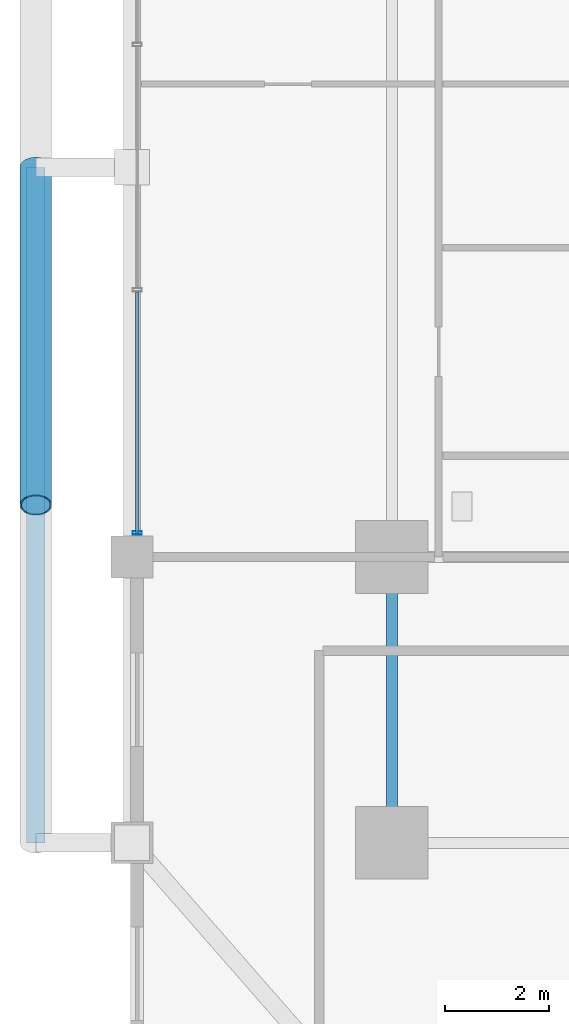
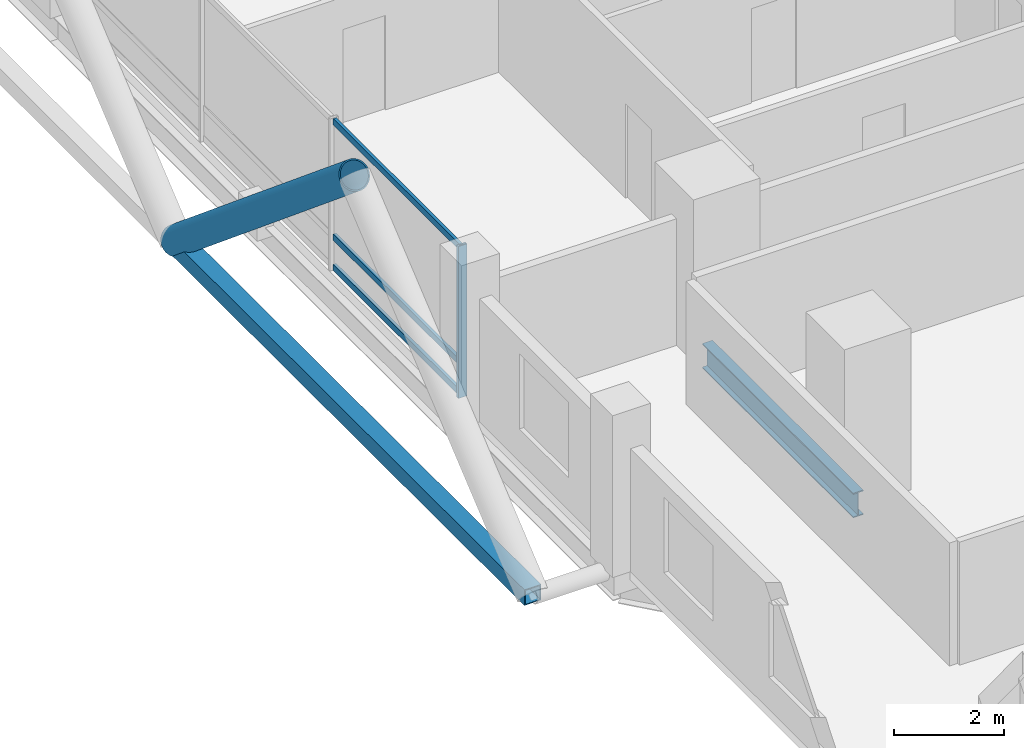
# One storey, part 6 of 27: 6 members, 1 beam, 1 element without a shape of its own.
"""IFC4 building model written with IfcOpenShell, lengths in metres."""

from ifc_helpers import new_model, si_unit, direction, frame, origin, origin_2d, place, context, subcontext, project, spatial, hollow_rectangle, hollow_circle, i_section, extrude, material, layer, layer_set, material_profile, profile_set, type_object, element, aggregate, save


model = new_model("IFC4")

# Units and contexts
model_context = context("Model", 3, precision=1e-05, world=origin(), true_north=direction((0.0, 1.0)))
body_context = subcontext(model_context, "Body", "Model", "MODEL_VIEW")
ifc_project = project(units=[si_unit("LENGTHUNIT", "METRE"), si_unit("AREAUNIT", "SQUARE_METRE"), si_unit("VOLUMEUNIT", "CUBIC_METRE"), si_unit("PLANEANGLEUNIT", "RADIAN"), si_unit("MASSUNIT", "GRAM", prefix="KILO")], contexts=[model_context])

# Site, building, storey
site_placement = place(None, origin())
site = spatial("IfcSite", under=ifc_project, at=site_placement, CompositionType="ELEMENT")
building_placement = place(site_placement, origin())
building = spatial("IfcBuilding", under=site, at=building_placement, Name="Barlavira Tower and Art Museum", CompositionType="ELEMENT")
storey_placement = place(building_placement, frame((0.0, 0.0, 72.0)))
storey = spatial("IfcBuildingStorey", under=building, at=storey_placement, Name="L17", CompositionType="ELEMENT", Elevation=72.0)

# Curtain wall, members
ifc_material_1 = material(Name="Low-iron coastal laminated glass", Category="glass")
ifc_layer = layer(ifc_material_1, 0.179931640625, Name="Low-iron coastal laminated glass")
ifc_layer_set = layer_set([ifc_layer], Name="Low-iron coastal laminated glass")
curtain_wall_type = type_object("IfcCurtainWallType", Name="Pale-Metal Unitised Curtain Wall Zone 1", PredefinedType="NOTDEFINED", material=ifc_layer_set)
curtain_wall_placement = place(storey_placement, origin())
curtain_wall = element("IfcCurtainWall", 1, at=curtain_wall_placement, inside=storey, type_object=curtain_wall_type, Name="L17 Curtain Wall CW1-L17-W-B3", PredefinedType="NOTDEFINED")
ifc_material_2 = material(Name="Pale anodised aluminium", Category="aluminium")
ifc_material_profile_1 = material_profile(ifc_material_2, hollow_rectangle(XDim=0.06494140625, YDim=0.179931640625, WallThickness=0.00390625, at=origin_2d()), Name="ALU-MULL 65x180x4")
ifc_profile_set_1 = profile_set([ifc_material_profile_1], Name="Pale anodised aluminium")
member_type_1 = type_object("IfcMemberType", Name="Curtain Wall Pale-Metal Mullion 65x180", PredefinedType="MULLION", material=ifc_profile_set_1)
member_1_placement = place(storey_placement, frame((-21.89990234375, -7.034912109375, 0.0), z_axis=(0.0, 0.0, 1.0), x_axis=(0.0, -1.0, 0.0)))
member_1 = element("IfcMember", 2, at=member_1_placement, type_object=member_type_1, Name="CW1-L17-W-B3 Mullion 3", PredefinedType="MULLION", context=body_context, shape_type="SweptSolid", body=[
    extrude(hollow_rectangle(XDim=0.06494140625, YDim=0.179931640625, WallThickness=0.00390625, at=origin_2d()), origin(), (0.0, 0.0, 1.0), 3.3798828125),
])
ifc_material_profile_2 = material_profile(ifc_material_2, hollow_rectangle(XDim=0.06494140625, YDim=0.139892578125, WallThickness=0.00390625, at=origin_2d()), Name="ALU-TRAN 65x140x4")
ifc_profile_set_2 = profile_set([ifc_material_profile_2], Name="Pale anodised aluminium")
member_type_2 = type_object("IfcMemberType", Name="Curtain Wall Pale-Metal Transom 65x140", PredefinedType="USERDEFINED", material=ifc_profile_set_2)
member_2_placement = place(storey_placement, frame((-21.89990234375, -2.405029296875, 0.070068359375), z_axis=(0.0, -1.0, 0.0), x_axis=(1.0, 0.0, 0.0)))
member_2 = element("IfcMember", 3, at=member_2_placement, type_object=member_type_2, Name="CW1-L17-W-B3 Transom 2.1", ObjectType="TRANSOM", PredefinedType="USERDEFINED", context=body_context, shape_type="SweptSolid", body=[
    extrude(hollow_rectangle(XDim=0.06494140625, YDim=0.139892578125, WallThickness=0.00390625, at=origin_2d()), origin(), (0.0, 0.0, 1.0), 4.6298828125),
])
member_3_placement = place(storey_placement, frame((-21.89990234375, -2.405029296875, 0.743896484375), z_axis=(0.0, -1.0, 0.0), x_axis=(1.0, 0.0, 0.0)))
member_3 = element("IfcMember", 4, at=member_3_placement, type_object=member_type_2, Name="CW1-L17-W-B3 Transom 2.2", ObjectType="TRANSOM", PredefinedType="USERDEFINED", context=body_context, shape_type="SweptSolid", body=[
    extrude(hollow_rectangle(XDim=0.06494140625, YDim=0.139892578125, WallThickness=0.00390625, at=origin_2d()), origin(), (0.0, 0.0, 1.0), 4.6298828125),
])
member_4_placement = place(storey_placement, frame((-21.89990234375, -2.405029296875, 3.31005859375), z_axis=(0.0, -1.0, 0.0), x_axis=(1.0, 0.0, 0.0)))
member_4 = element("IfcMember", 5, at=member_4_placement, type_object=member_type_2, Name="CW1-L17-W-B3 Transom 2.3", ObjectType="TRANSOM", PredefinedType="USERDEFINED", context=body_context, shape_type="SweptSolid", body=[
    extrude(hollow_rectangle(XDim=0.06494140625, YDim=0.139892578125, WallThickness=0.00390625, at=origin_2d()), origin(), (0.0, 0.0, 1.0), 4.6298828125),
])
aggregate(curtain_wall, [member_1, member_2, member_3, member_4])

# Members
ifc_material_3 = material(Name="Steel S355", Category="steel")
ifc_material_profile_3 = material_profile(ifc_material_3, hollow_circle(Radius=0.304931640625, WallThickness=0.028076171875, at=origin_2d()), Name="CHS 610.0x28.0")
ifc_profile_set_3 = profile_set([ifc_material_profile_3], Name="Steel S355")
member_type_3 = type_object("IfcMemberType", Name="Pale-Metal Exoskeleton Diagrid Tube CHS 610x28 Steel S355", PredefinedType="BRACE", material=ifc_profile_set_3)
member_5_placement = place(storey_placement, frame((-23.85009765625, 0.0, -0.1201171875), z_axis=(0.0, -0.76918185268, 0.639029950399), x_axis=(1.0, 0.0, 0.0)))
element("IfcMember", 6, at=member_5_placement, inside=storey, type_object=member_type_3, Name="L17 Exoskeleton Diagrid Tube W", PredefinedType="BRACE", context=body_context, shape_type="SweptSolid", body=[
    extrude(hollow_circle(Radius=0.304931640625, WallThickness=0.028076171875, at=origin_2d()), origin(), (0.0, 0.0, 1.0), 8.450439453125),
])
ifc_material_profile_4 = material_profile(ifc_material_3, hollow_rectangle(XDim=0.35009765625, YDim=0.35009765625, WallThickness=0.02001953125, at=origin_2d()), Name="SHS 350x350x20.0")
ifc_profile_set_4 = profile_set([ifc_material_profile_4], Name="Steel S355")
member_type_4 = type_object("IfcMemberType", Name="Pale-Metal Exoskeleton Ring Strut SHS 350x350x20 Steel S355", PredefinedType="STRUT", material=ifc_profile_set_4)
member_6_placement = place(storey_placement, frame((-23.85009765625, -13.0, -0.1201171875), z_axis=(0.0, 1.0, 0.0), x_axis=(-1.0, 0.0, 0.0)))
element("IfcMember", 7, at=member_6_placement, inside=storey, type_object=member_type_4, Name="L17 Exoskeleton Ring Strut W", PredefinedType="STRUT", context=body_context, shape_type="SweptSolid", body=[
    extrude(hollow_rectangle(XDim=0.35009765625, YDim=0.35009765625, WallThickness=0.02001953125, at=origin_2d()), origin(), (0.0, 0.0, 1.0), 13.0),
])

# Beam
ifc_material_profile_5 = material_profile(ifc_material_3, i_section(OverallWidth=0.214111328125, OverallDepth=0.549072265625, WebThickness=0.0146484375, FlangeThickness=0.023681640625, at=origin_2d()), Name="W530x138.0")
ifc_profile_set_5 = profile_set([ifc_material_profile_5], Name="Steel S355")
beam_type = type_object("IfcBeamType", Name="Zone 1 Primary Floor Girder W530x138 Steel S355", PredefinedType="BEAM", material=ifc_profile_set_5)
beam_placement = place(storey_placement, frame((-17.0, -13.0, -0.494384765625), z_axis=(0.0, 1.0, 0.0), x_axis=(-1.0, 0.0, 0.0)))
element("IfcBeam", 8, at=beam_placement, inside=storey, type_object=beam_type, Name="L17 Girder M-W1", PredefinedType="BEAM", context=body_context, shape_type="SweptSolid", body=[
    extrude(i_section(OverallWidth=0.214111328125, OverallDepth=0.549072265625, WebThickness=0.0146484375, FlangeThickness=0.023681640625, at=origin_2d()), origin(), (0.0, 0.0, 1.0), 5.5),
])

save(model, "model.ifc")
